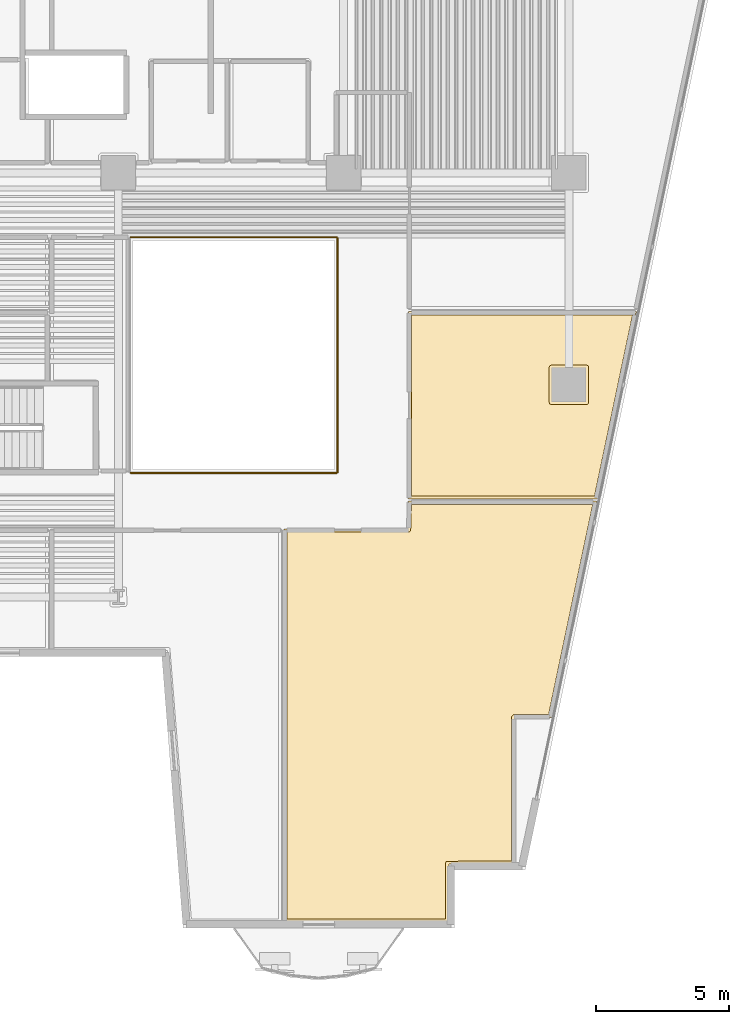
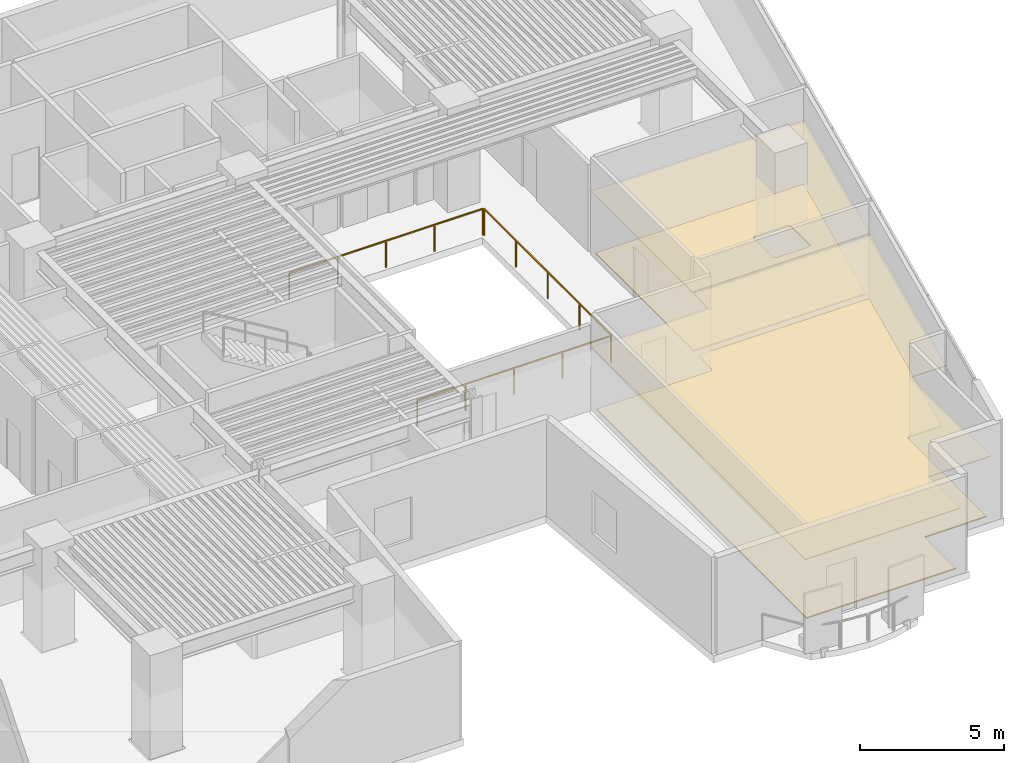
# One storey, part 10 of 12: 4 coverings, 3 railings.
"""IFC4 building model written with IfcOpenShell, lengths in metres."""

from ifc_helpers import new_model, si_unit, direction, frame, origin, origin_2d, place, context, subcontext, project, spatial, polyline, rectangle, outline, extrude, material, layer, layer_set, type_object, element, save


model = new_model("IFC4")

# Units and contexts
model_context = context("Model", 3, precision=1e-05, world=origin(), true_north=direction((0.0, 1.0)))
body_context = subcontext(model_context, "Body", "Model", "MODEL_VIEW")
ifc_project = project(units=[si_unit("LENGTHUNIT", "METRE"), si_unit("AREAUNIT", "SQUARE_METRE"), si_unit("VOLUMEUNIT", "CUBIC_METRE"), si_unit("PLANEANGLEUNIT", "RADIAN"), si_unit("MASSUNIT", "GRAM", prefix="KILO")], contexts=[model_context])

# Site, building, storey
site_placement = place(None, origin())
site = spatial("IfcSite", under=ifc_project, at=site_placement, CompositionType="ELEMENT")
building_placement = place(site_placement, origin())
building = spatial("IfcBuilding", under=site, at=building_placement, Name="Caeloran Harvest Quay", CompositionType="ELEMENT")
storey_placement = place(building_placement, frame((0.0, 0.0, 57.800048828125)))
storey = spatial("IfcBuildingStorey", under=building, at=storey_placement, Name="L13", CompositionType="ELEMENT", Elevation=57.800048828125)

# Coverings
ifc_material_1 = material(Name="Perforated Mineral-Fibre Acoustic Ceiling Tile", Category="ceiling")
ifc_layer_1 = layer(ifc_material_1, 0.0400390625, Name="Perforated Mineral-Fibre Acoustic Ceiling Tile")
ifc_layer_set_1 = layer_set([ifc_layer_1], Name="Perforated Mineral-Fibre Acoustic Ceiling Tile")
covering_type_1 = type_object("IfcCoveringType", Name="COV-CEILING-ACOUSTIC", PredefinedType="CEILING", material=ifc_layer_set_1)
covering_1_placement = place(storey_placement, frame((0.0, 0.0, 2.599853515625)))
element("IfcCovering", 1, at=covering_1_placement, inside=storey, type_object=covering_type_1, Name="Hydroponic Culinary Kitchen Acoustic Ceiling", PredefinedType="CEILING", context=body_context, shape_type="SweptSolid", body=[
    extrude(outline(polyline([(52.04638671875, 18.610107421875), (50.330078125, 10.43994140625), (48.9599609375, 10.43994140625), (48.9599609375, 4.919921875), (46.467041015625, 4.919921875), (46.467041015625, 2.719970703125), (40.239990234375, 2.719970703125), (40.239990234375, 17.56005859375), (44.9111328125, 17.56005859375), (44.941162109375, 18.610107421875), (52.04638671875, 18.610107421875)])), origin(), (0.0, 0.0, 1.0), 0.0400390625),
])
covering_2_placement = place(storey_placement, frame((0.0, 0.0, 2.599853515625)))
element("IfcCovering", 2, at=covering_2_placement, inside=storey, type_object=covering_type_1, Name="Mycology QA Laboratory Acoustic Ceiling", PredefinedType="CEILING", context=body_context, shape_type="SweptSolid", body=[
    extrude(outline(polyline([(44.93994140625, 18.68994140625), (44.93994140625, 25.760009765625), (53.548583984375, 25.760009765625), (52.063232421875, 18.68994140625), (44.93994140625, 18.68994140625)])), origin(), (0.0, 0.0, 1.0), 0.0400390625),
])
ifc_material_2 = material(Name="Calcium-Sulphate Raised Access Floor and Terrazzo Finish", Category="flooring")
ifc_layer_2 = layer(ifc_material_2, 0.050048828125, Name="Calcium-Sulphate Raised Access Floor and Terrazzo Finish")
ifc_layer_set_2 = layer_set([ifc_layer_2], Name="Calcium-Sulphate Raised Access Floor and Terrazzo Finish")
covering_type_2 = type_object("IfcCoveringType", Name="COV-FLOOR-RAISED", PredefinedType="FLOORING", material=ifc_layer_set_2)
covering_3_placement = place(storey_placement, origin())
element("IfcCovering", 3, at=covering_3_placement, inside=storey, type_object=covering_type_2, Name="Hydroponic Culinary Kitchen Raised Finish Flooring", PredefinedType="FLOORING", context=body_context, shape_type="SweptSolid", body=[
    extrude(outline(polyline([(51.898681640625, 18.489990234375), (50.23291015625, 10.56005859375), (48.919921875, 10.56005859375), (48.841552734375, 10.49560546875), (48.840087890625, 5.0400390625), (46.376220703125, 5.021728515625), (46.346923828125, 4.9599609375), (46.346923828125, 2.840087890625), (40.360107421875, 2.840087890625), (40.360107421875, 17.43994140625), (44.96533203125, 17.44140625), (45.029296875, 17.510009765625), (45.0576171875, 18.489990234375), (51.898681640625, 18.489990234375)])), origin(), (0.0, 0.0, 1.0), 0.050048828125),
])
covering_4_placement = place(storey_placement, origin())
element("IfcCovering", 4, at=covering_4_placement, inside=storey, type_object=covering_type_2, Name="Mycology QA Laboratory Raised Finish Flooring", PredefinedType="FLOORING", context=body_context, shape_type="SweptSolid", body=[
    extrude(outline(polyline([(51.9658203125, 18.81005859375), (45.06005859375, 18.81005859375), (45.06005859375, 25.639892578125), (53.400634765625, 25.639892578125), (51.9658203125, 18.81005859375)]), holes=[polyline([(51.7451171875, 23.6650390625), (51.7216796875, 23.7216796875), (51.6650390625, 23.7451171875), (50.3349609375, 23.7451171875), (50.2783203125, 23.7216796875), (50.2548828125, 23.6650390625), (50.2548828125, 22.3349609375), (50.2783203125, 22.2783203125), (50.3349609375, 22.2548828125), (51.6650390625, 22.2548828125), (51.7216796875, 22.2783203125), (51.7451171875, 22.3349609375), (51.7451171875, 23.6650390625)])]), origin(), (0.0, 0.0, 1.0), 0.050048828125),
])

# Railings
ifc_material_3 = material(Name="Powder-Coated Steel Post and Laminated Glass Guardrail", Category="steel")
ifc_layer_3 = layer(ifc_material_3, 0.06005859375, Name="Powder-Coated Steel Post and Laminated Glass Guardrail")
ifc_layer_set_3 = layer_set([ifc_layer_3], Name="Powder-Coated Steel Post and Laminated Glass Guardrail")
railing_type = type_object("IfcRailingType", Name="GUARD-ATRIUM-1150", PredefinedType="GUARDRAIL", material=ifc_layer_set_3)
railing_1_placement = place(storey_placement, frame((34.4619140625, 19.679931640625, 0.0)))
element("IfcRailing", 5, at=railing_1_placement, inside=storey, type_object=railing_type, Name="L13 East Botanical Lightwell Guardrail Seg 1", PredefinedType="GUARDRAIL", context=body_context, shape_type="SweptSolid", body=[
    extrude(rectangle(XDim=0.048095703125, YDim=0.048095703125, at=origin_2d()), frame((0.0, 0.0, 1.1259765625), z_axis=(1.0, 0.0, 0.0), x_axis=(0.0, 1.0, 0.0)), (0.0, 0.0, 1.0), 7.776123046875),
    extrude(rectangle(XDim=0.0419921875, YDim=0.0419921875, at=origin_2d()), origin(), (0.0, 0.0, 1.0), 1.101806640625),
    extrude(rectangle(XDim=0.0419921875, YDim=0.0419921875, at=origin_2d()), frame((1.944091796875, 0.0, 0.0)), (0.0, 0.0, 1.0), 1.101806640625),
    extrude(rectangle(XDim=0.0419921875, YDim=0.0419921875, at=origin_2d()), frame((3.88818359375, 0.0, 0.0)), (0.0, 0.0, 1.0), 1.101806640625),
    extrude(rectangle(XDim=0.0419921875, YDim=0.0419921875, at=origin_2d()), frame((5.83203125, 0.0, 0.0)), (0.0, 0.0, 1.0), 1.101806640625),
    extrude(rectangle(XDim=0.0419921875, YDim=0.0419921875, at=origin_2d()), frame((7.776123046875, 0.0, 0.0)), (0.0, 0.0, 1.0), 1.101806640625),
])
railing_2_placement = place(storey_placement, frame((42.27001953125, 19.7119140625, 0.0)))
element("IfcRailing", 6, at=railing_2_placement, inside=storey, type_object=railing_type, Name="L13 East Botanical Lightwell Guardrail Seg 2", PredefinedType="GUARDRAIL", context=body_context, shape_type="SweptSolid", body=[
    extrude(rectangle(XDim=0.048095703125, YDim=0.048095703125, at=origin_2d()), frame((0.0, 0.0, 1.1259765625), z_axis=(0.0, 1.0, 0.0), x_axis=(-1.0, 0.0, 0.0)), (0.0, 0.0, 1.0), 8.826171875),
    extrude(rectangle(XDim=0.0419921875, YDim=0.0419921875, at=origin_2d()), origin(), (0.0, 0.0, 1.0), 1.101806640625),
    extrude(rectangle(XDim=0.0419921875, YDim=0.0419921875, at=origin_2d()), frame((0.0, 2.20654296875, 0.0)), (0.0, 0.0, 1.0), 1.101806640625),
    extrude(rectangle(XDim=0.0419921875, YDim=0.0419921875, at=origin_2d()), frame((0.0, 4.4130859375, 0.0)), (0.0, 0.0, 1.0), 1.101806640625),
    extrude(rectangle(XDim=0.0419921875, YDim=0.0419921875, at=origin_2d()), frame((0.0, 6.61962890625, 0.0)), (0.0, 0.0, 1.0), 1.101806640625),
    extrude(rectangle(XDim=0.0419921875, YDim=0.0419921875, at=origin_2d()), frame((0.0, 8.826171875, 0.0)), (0.0, 0.0, 1.0), 1.101806640625),
])
railing_3_placement = place(storey_placement, frame((42.238037109375, 28.570068359375, 0.0)))
element("IfcRailing", 7, at=railing_3_placement, inside=storey, type_object=railing_type, Name="L13 East Botanical Lightwell Guardrail Seg 3", PredefinedType="GUARDRAIL", context=body_context, shape_type="SweptSolid", body=[
    extrude(rectangle(XDim=0.048095703125, YDim=0.048095703125, at=origin_2d()), frame((0.0, 0.0, 1.1259765625), z_axis=(-1.0, 0.0, 0.0), x_axis=(0.0, -1.0, 0.0)), (0.0, 0.0, 1.0), 7.776123046875),
    extrude(rectangle(XDim=0.0419921875, YDim=0.0419921875, at=origin_2d()), origin(), (0.0, 0.0, 1.0), 1.101806640625),
    extrude(rectangle(XDim=0.0419921875, YDim=0.0419921875, at=origin_2d()), frame((-1.944091796875, 0.0, 0.0)), (0.0, 0.0, 1.0), 1.101806640625),
    extrude(rectangle(XDim=0.0419921875, YDim=0.0419921875, at=origin_2d()), frame((-3.88818359375, 0.0, 0.0)), (0.0, 0.0, 1.0), 1.101806640625),
    extrude(rectangle(XDim=0.0419921875, YDim=0.0419921875, at=origin_2d()), frame((-5.83203125, 0.0, 0.0)), (0.0, 0.0, 1.0), 1.101806640625),
    extrude(rectangle(XDim=0.0419921875, YDim=0.0419921875, at=origin_2d()), frame((-7.776123046875, 0.0, 0.0)), (0.0, 0.0, 1.0), 1.101806640625),
])

save(model, "model.ifc")
